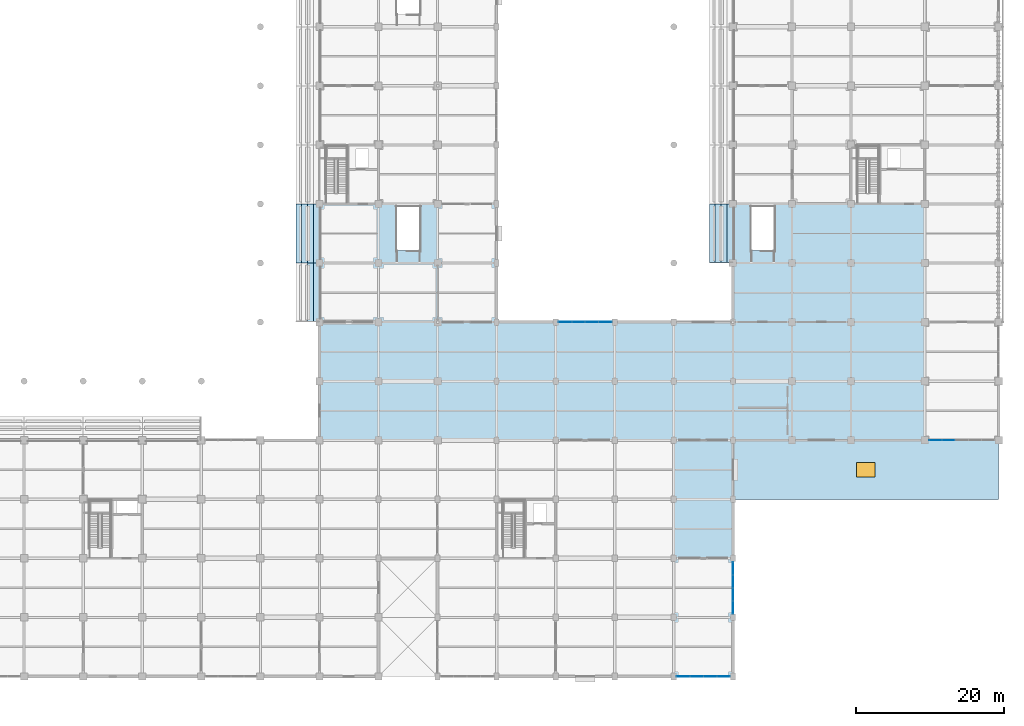
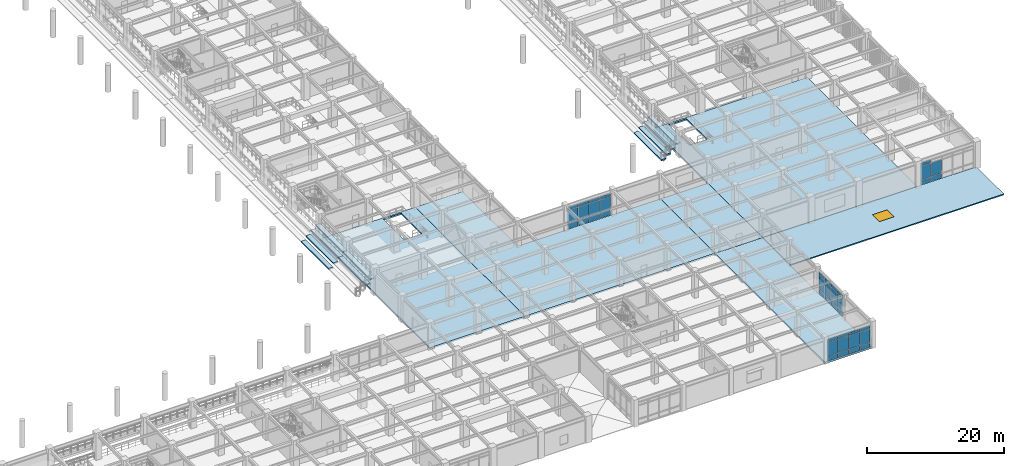
# One storey, part 62 of 117: 41 plates, 16 slabs, 1 window, 1 opening, 4 elements without a shape of their own.
"""IFC4 building model written with IfcOpenShell, lengths in metres."""

from ifc_helpers import new_model, si_unit, direction, frame, origin, origin_2d, place, context, subcontext, project, spatial, polyline, rectangle, outline, extrude, material, layer, layer_set, type_object, element, fill, aggregate, save


model = new_model("IFC4")

# Units and contexts
model_context = context("Model", 3, precision=1e-05, world=origin(), true_north=direction((0.0, 1.0)))
body_context = subcontext(model_context, "Body", "Model", "MODEL_VIEW")
ifc_project = project(units=[si_unit("LENGTHUNIT", "METRE"), si_unit("AREAUNIT", "SQUARE_METRE"), si_unit("VOLUMEUNIT", "CUBIC_METRE"), si_unit("PLANEANGLEUNIT", "RADIAN"), si_unit("MASSUNIT", "GRAM", prefix="KILO")], contexts=[model_context])

# Site, building, storey
site_placement = place(None, origin())
site = spatial("IfcSite", under=ifc_project, at=site_placement, CompositionType="ELEMENT")
building_placement = place(site_placement, origin())
building = spatial("IfcBuilding", under=site, at=building_placement, Name="Haebicheon Civic Stadium", CompositionType="ELEMENT")
storey_placement = place(building_placement, frame((0.0, 0.0, 4.800048828125)))
storey = spatial("IfcBuildingStorey", under=building, at=storey_placement, Name="L02", CompositionType="ELEMENT", Elevation=4.800048828125)

# Curtain wall, plates
ifc_material_1 = material(Name="Anodised aluminium and laminated glass", Category="aluminium")
ifc_layer_1 = layer(ifc_material_1, 0.179931640625, Name="Anodised aluminium and laminated glass")
ifc_layer_set_1 = layer_set([ifc_layer_1], Name="Anodised aluminium and laminated glass")
curtain_wall_type_1 = type_object("IfcCurtainWallType", Name="CW-7300x3910", PredefinedType="NOTDEFINED", material=ifc_layer_set_1)
curtain_wall_1_placement = place(storey_placement, origin())
curtain_wall_1 = element("IfcCurtainWall", 1, at=curtain_wall_1_placement, inside=storey, type_object=curtain_wall_type_1, material=ifc_layer_set_1, Name="L02 unitised curtain wall 058", PredefinedType="NOTDEFINED")
ifc_material_2 = material(Name="Double low-e laminated glass", Category="glass")
ifc_layer_2 = layer(ifc_material_2, 0.028076171875, Name="Double low-e laminated glass")
ifc_layer_set_2 = layer_set([ifc_layer_2], Name="Double low-e laminated glass")
plate_type_1 = type_object("IfcPlateType", Name="CWP-GLZ-28", PredefinedType="CURTAIN_PANEL", material=ifc_layer_set_2)
plate_1_placement = place(storey_placement, frame((177.280029296875, 48.0, 0.93505859375), z_axis=(0.0, 0.0, 1.0), x_axis=(1.0, 0.0, 0.0)))
plate_1 = element("IfcPlate", 2, at=plate_1_placement, type_object=plate_type_1, material=ifc_layer_set_2, Name="CW-L02-058 vision panel 1.2", PredefinedType="CURTAIN_PANEL", context=body_context, shape_type="SweptSolid", body=[
    extrude(rectangle(XDim=1.719970703125, YDim=0.028076171875, at=origin_2d()), origin(), (0.0, 0.0, 1.0), 2.389892578125),
])
plate_2_placement = place(storey_placement, frame((179.087890625, 48.0, 0.93505859375), z_axis=(0.0, 0.0, 1.0), x_axis=(1.0, 0.0, 0.0)))
plate_2 = element("IfcPlate", 3, at=plate_2_placement, type_object=plate_type_1, material=ifc_layer_set_2, Name="CW-L02-058 vision panel 2.2", PredefinedType="CURTAIN_PANEL", context=body_context, shape_type="SweptSolid", body=[
    extrude(rectangle(XDim=1.7548828125, YDim=0.028076171875, at=origin_2d()), origin(), (0.0, 0.0, 1.0), 2.389892578125),
])
plate_3_placement = place(storey_placement, frame((180.912109375, 48.0, 0.93505859375), z_axis=(0.0, 0.0, 1.0), x_axis=(1.0, 0.0, 0.0)))
plate_3 = element("IfcPlate", 4, at=plate_3_placement, type_object=plate_type_1, material=ifc_layer_set_2, Name="CW-L02-058 vision panel 3.2", PredefinedType="CURTAIN_PANEL", context=body_context, shape_type="SweptSolid", body=[
    extrude(rectangle(XDim=1.7548828125, YDim=0.028076171875, at=origin_2d()), origin(), (0.0, 0.0, 1.0), 2.389892578125),
])
plate_4_placement = place(storey_placement, frame((182.719970703125, 48.0, 0.93505859375), z_axis=(0.0, 0.0, 1.0), x_axis=(1.0, 0.0, 0.0)))
plate_4 = element("IfcPlate", 5, at=plate_4_placement, type_object=plate_type_1, material=ifc_layer_set_2, Name="CW-L02-058 vision panel 4.2", PredefinedType="CURTAIN_PANEL", context=body_context, shape_type="SweptSolid", body=[
    extrude(rectangle(XDim=1.719970703125, YDim=0.028076171875, at=origin_2d()), origin(), (0.0, 0.0, 1.0), 2.389892578125),
])

curtain_wall_2_placement = place(storey_placement, origin())
curtain_wall_2 = element("IfcCurtainWall", 6, at=curtain_wall_2_placement, inside=storey, type_object=curtain_wall_type_1, material=ifc_layer_set_1, Name="L02 unitised curtain wall 060", PredefinedType="NOTDEFINED")
plate_5_placement = place(storey_placement, frame((193.280029296875, 0.0, 0.93505859375), z_axis=(0.0, 0.0, 1.0), x_axis=(1.0, 0.0, 0.0)))
plate_5 = element("IfcPlate", 7, at=plate_5_placement, type_object=plate_type_1, material=ifc_layer_set_2, Name="CW-L02-060 vision panel 1.2", PredefinedType="CURTAIN_PANEL", context=body_context, shape_type="SweptSolid", body=[
    extrude(rectangle(XDim=1.719970703125, YDim=0.028076171875, at=origin_2d()), origin(), (0.0, 0.0, 1.0), 2.389892578125),
])
plate_6_placement = place(storey_placement, frame((195.087890625, 0.0, 0.93505859375), z_axis=(0.0, 0.0, 1.0), x_axis=(1.0, 0.0, 0.0)))
plate_6 = element("IfcPlate", 8, at=plate_6_placement, type_object=plate_type_1, material=ifc_layer_set_2, Name="CW-L02-060 vision panel 2.2", PredefinedType="CURTAIN_PANEL", context=body_context, shape_type="SweptSolid", body=[
    extrude(rectangle(XDim=1.7548828125, YDim=0.028076171875, at=origin_2d()), origin(), (0.0, 0.0, 1.0), 2.389892578125),
])
plate_7_placement = place(storey_placement, frame((196.912109375, 0.0, 0.93505859375), z_axis=(0.0, 0.0, 1.0), x_axis=(1.0, 0.0, 0.0)))
plate_7 = element("IfcPlate", 9, at=plate_7_placement, type_object=plate_type_1, material=ifc_layer_set_2, Name="CW-L02-060 vision panel 3.2", PredefinedType="CURTAIN_PANEL", context=body_context, shape_type="SweptSolid", body=[
    extrude(rectangle(XDim=1.7548828125, YDim=0.028076171875, at=origin_2d()), origin(), (0.0, 0.0, 1.0), 2.389892578125),
])
plate_8_placement = place(storey_placement, frame((198.719970703125, 0.0, 0.93505859375), z_axis=(0.0, 0.0, 1.0), x_axis=(1.0, 0.0, 0.0)))
plate_8 = element("IfcPlate", 10, at=plate_8_placement, type_object=plate_type_1, material=ifc_layer_set_2, Name="CW-L02-060 vision panel 4.2", PredefinedType="CURTAIN_PANEL", context=body_context, shape_type="SweptSolid", body=[
    extrude(rectangle(XDim=1.719970703125, YDim=0.028076171875, at=origin_2d()), origin(), (0.0, 0.0, 1.0), 2.389892578125),
])

ifc_material_3 = material(Name="Anodised aluminium and laminated glass", Category="aluminium")
ifc_layer_3 = layer(ifc_material_3, 0.179931640625, Name="Anodised aluminium and laminated glass")
ifc_layer_set_3 = layer_set([ifc_layer_3], Name="Anodised aluminium and laminated glass")
curtain_wall_type_2 = type_object("IfcCurtainWallType", Name="CW-7100x3910", PredefinedType="NOTDEFINED", material=ifc_layer_set_3)
curtain_wall_3_placement = place(storey_placement, origin())
curtain_wall_3 = element("IfcCurtainWall", 11, at=curtain_wall_3_placement, inside=storey, type_object=curtain_wall_type_2, material=ifc_layer_set_3, Name="L02 unitised curtain wall 061", PredefinedType="NOTDEFINED")
plate_9_placement = place(storey_placement, frame((200.0, 9.35498046875, 0.93505859375), z_axis=(0.0, 0.0, 1.0), x_axis=(0.0, 1.0, 0.0)))
plate_9 = element("IfcPlate", 12, at=plate_9_placement, type_object=plate_type_1, material=ifc_layer_set_2, Name="CW-L02-061 vision panel 1.2", PredefinedType="CURTAIN_PANEL", context=body_context, shape_type="SweptSolid", body=[
    extrude(rectangle(XDim=1.669921875, YDim=0.028076171875, at=origin_2d()), origin(), (0.0, 0.0, 1.0), 2.389892578125),
])
plate_10_placement = place(storey_placement, frame((200.0, 11.112060546875, 0.93505859375), z_axis=(0.0, 0.0, 1.0), x_axis=(0.0, 1.0, 0.0)))
plate_10 = element("IfcPlate", 13, at=plate_10_placement, type_object=plate_type_1, material=ifc_layer_set_2, Name="CW-L02-061 vision panel 2.2", PredefinedType="CURTAIN_PANEL", context=body_context, shape_type="SweptSolid", body=[
    extrude(rectangle(XDim=1.705078125, YDim=0.028076171875, at=origin_2d()), origin(), (0.0, 0.0, 1.0), 2.389892578125),
])
plate_11_placement = place(storey_placement, frame((200.0, 12.887939453125, 0.93505859375), z_axis=(0.0, 0.0, 1.0), x_axis=(0.0, 1.0, 0.0)))
plate_11 = element("IfcPlate", 14, at=plate_11_placement, type_object=plate_type_1, material=ifc_layer_set_2, Name="CW-L02-061 vision panel 3.2", PredefinedType="CURTAIN_PANEL", context=body_context, shape_type="SweptSolid", body=[
    extrude(rectangle(XDim=1.705078125, YDim=0.028076171875, at=origin_2d()), origin(), (0.0, 0.0, 1.0), 2.389892578125),
])
plate_12_placement = place(storey_placement, frame((200.0, 14.64501953125, 0.93505859375), z_axis=(0.0, 0.0, 1.0), x_axis=(0.0, 1.0, 0.0)))
plate_12 = element("IfcPlate", 15, at=plate_12_placement, type_object=plate_type_1, material=ifc_layer_set_2, Name="CW-L02-061 vision panel 4.2", PredefinedType="CURTAIN_PANEL", context=body_context, shape_type="SweptSolid", body=[
    extrude(rectangle(XDim=1.669921875, YDim=0.028076171875, at=origin_2d()), origin(), (0.0, 0.0, 1.0), 2.389892578125),
])

ifc_material_4 = material(Name="Anodised aluminium and laminated glass", Category="aluminium")
ifc_layer_4 = layer(ifc_material_4, 0.179931640625, Name="Anodised aluminium and laminated glass")
ifc_layer_set_4 = layer_set([ifc_layer_4], Name="Anodised aluminium and laminated glass")
curtain_wall_type_3 = type_object("IfcCurtainWallType", Name="CW-9000x3950", PredefinedType="NOTDEFINED", material=ifc_layer_set_4)
curtain_wall_4_placement = place(storey_placement, origin())
curtain_wall_4 = element("IfcCurtainWall", 16, at=curtain_wall_4_placement, inside=storey, type_object=curtain_wall_type_3, material=ifc_layer_set_4, Name="L02 unitised curtain wall 064", PredefinedType="NOTDEFINED")
plate_13_placement = place(storey_placement, frame((227.41796875, 32.0, 0.93505859375), z_axis=(0.0, 0.0, 1.0), x_axis=(1.0, 0.0, 0.0)))
plate_13 = element("IfcPlate", 17, at=plate_13_placement, type_object=plate_type_1, material=ifc_layer_set_2, Name="CW-L02-064 vision panel 1.2", PredefinedType="CURTAIN_PANEL", context=body_context, shape_type="SweptSolid", body=[
    extrude(rectangle(XDim=1.695068359375, YDim=0.028076171875, at=origin_2d()), origin(), (0.0, 0.0, 1.0), 2.429931640625),
])
plate_14_placement = place(storey_placement, frame((229.199951171875, 32.0, 0.93505859375), z_axis=(0.0, 0.0, 1.0), x_axis=(1.0, 0.0, 0.0)))
plate_14 = element("IfcPlate", 18, at=plate_14_placement, type_object=plate_type_1, material=ifc_layer_set_2, Name="CW-L02-064 vision panel 2.2", PredefinedType="CURTAIN_PANEL", context=body_context, shape_type="SweptSolid", body=[
    extrude(rectangle(XDim=1.72998046875, YDim=0.028076171875, at=origin_2d()), origin(), (0.0, 0.0, 1.0), 2.429931640625),
])

# Plate
ifc_material_5 = material(Name="Anodised aluminium 6063-T6", Category="aluminium")
ifc_layer_5 = layer(ifc_material_5, 0.053955078125, Name="Anodised aluminium 6063-T6")
ifc_layer_set_5 = layer_set([ifc_layer_5], Name="Anodised aluminium 6063-T6")
plate_type_2 = type_object("IfcPlateType", Name="CWP-SPD-54", PredefinedType="CURTAIN_PANEL", material=ifc_layer_set_5)
plate_15_placement = place(storey_placement, frame((177.280029296875, 48.0, 0.034912109375), z_axis=(0.0, 0.0, 1.0), x_axis=(1.0, 0.0, 0.0)))
plate_15 = element("IfcPlate", 19, at=plate_15_placement, type_object=plate_type_2, material=ifc_layer_set_5, Name="CW-L02-058 spandrel panel 1.1", PredefinedType="CURTAIN_PANEL", context=body_context, shape_type="SweptSolid", body=[
    extrude(rectangle(XDim=1.719970703125, YDim=0.053955078125, at=origin_2d()), origin(), (0.0, 0.0, 1.0), 0.830078125),
])

plate_16_placement = place(storey_placement, frame((177.280029296875, 48.0, 3.39501953125), z_axis=(0.0, 0.0, 1.0), x_axis=(1.0, 0.0, 0.0)))
plate_16 = element("IfcPlate", 20, at=plate_16_placement, type_object=plate_type_2, material=ifc_layer_set_5, Name="CW-L02-058 spandrel panel 1.3", PredefinedType="CURTAIN_PANEL", context=body_context, shape_type="SweptSolid", body=[
    extrude(rectangle(XDim=1.719970703125, YDim=0.053955078125, at=origin_2d()), origin(), (0.0, 0.0, 1.0), 0.47998046875),
])

plate_17_placement = place(storey_placement, frame((179.087890625, 48.0, 0.034912109375), z_axis=(0.0, 0.0, 1.0), x_axis=(1.0, 0.0, 0.0)))
plate_17 = element("IfcPlate", 21, at=plate_17_placement, type_object=plate_type_2, material=ifc_layer_set_5, Name="CW-L02-058 spandrel panel 2.1", PredefinedType="CURTAIN_PANEL", context=body_context, shape_type="SweptSolid", body=[
    extrude(rectangle(XDim=1.7548828125, YDim=0.053955078125, at=origin_2d()), origin(), (0.0, 0.0, 1.0), 0.830078125),
])

plate_18_placement = place(storey_placement, frame((179.087890625, 48.0, 3.39501953125), z_axis=(0.0, 0.0, 1.0), x_axis=(1.0, 0.0, 0.0)))
plate_18 = element("IfcPlate", 22, at=plate_18_placement, type_object=plate_type_2, material=ifc_layer_set_5, Name="CW-L02-058 spandrel panel 2.3", PredefinedType="CURTAIN_PANEL", context=body_context, shape_type="SweptSolid", body=[
    extrude(rectangle(XDim=1.7548828125, YDim=0.053955078125, at=origin_2d()), origin(), (0.0, 0.0, 1.0), 0.47998046875),
])

plate_19_placement = place(storey_placement, frame((180.912109375, 48.0, 0.034912109375), z_axis=(0.0, 0.0, 1.0), x_axis=(1.0, 0.0, 0.0)))
plate_19 = element("IfcPlate", 23, at=plate_19_placement, type_object=plate_type_2, material=ifc_layer_set_5, Name="CW-L02-058 spandrel panel 3.1", PredefinedType="CURTAIN_PANEL", context=body_context, shape_type="SweptSolid", body=[
    extrude(rectangle(XDim=1.7548828125, YDim=0.053955078125, at=origin_2d()), origin(), (0.0, 0.0, 1.0), 0.830078125),
])

plate_20_placement = place(storey_placement, frame((180.912109375, 48.0, 3.39501953125), z_axis=(0.0, 0.0, 1.0), x_axis=(1.0, 0.0, 0.0)))
plate_20 = element("IfcPlate", 24, at=plate_20_placement, type_object=plate_type_2, material=ifc_layer_set_5, Name="CW-L02-058 spandrel panel 3.3", PredefinedType="CURTAIN_PANEL", context=body_context, shape_type="SweptSolid", body=[
    extrude(rectangle(XDim=1.7548828125, YDim=0.053955078125, at=origin_2d()), origin(), (0.0, 0.0, 1.0), 0.47998046875),
])

plate_21_placement = place(storey_placement, frame((182.719970703125, 48.0, 0.034912109375), z_axis=(0.0, 0.0, 1.0), x_axis=(1.0, 0.0, 0.0)))
plate_21 = element("IfcPlate", 25, at=plate_21_placement, type_object=plate_type_2, material=ifc_layer_set_5, Name="CW-L02-058 spandrel panel 4.1", PredefinedType="CURTAIN_PANEL", context=body_context, shape_type="SweptSolid", body=[
    extrude(rectangle(XDim=1.719970703125, YDim=0.053955078125, at=origin_2d()), origin(), (0.0, 0.0, 1.0), 0.830078125),
])

plate_22_placement = place(storey_placement, frame((182.719970703125, 48.0, 3.39501953125), z_axis=(0.0, 0.0, 1.0), x_axis=(1.0, 0.0, 0.0)))
plate_22 = element("IfcPlate", 26, at=plate_22_placement, type_object=plate_type_2, material=ifc_layer_set_5, Name="CW-L02-058 spandrel panel 4.3", PredefinedType="CURTAIN_PANEL", context=body_context, shape_type="SweptSolid", body=[
    extrude(rectangle(XDim=1.719970703125, YDim=0.053955078125, at=origin_2d()), origin(), (0.0, 0.0, 1.0), 0.47998046875),
])

aggregate(curtain_wall_1, [plate_15, plate_1, plate_16, plate_17, plate_2, plate_18, plate_19, plate_3, plate_20, plate_21, plate_4, plate_22])

plate_23_placement = place(storey_placement, frame((193.280029296875, 0.0, 0.034912109375), z_axis=(0.0, 0.0, 1.0), x_axis=(1.0, 0.0, 0.0)))
plate_23 = element("IfcPlate", 27, at=plate_23_placement, type_object=plate_type_2, material=ifc_layer_set_5, Name="CW-L02-060 spandrel panel 1.1", PredefinedType="CURTAIN_PANEL", context=body_context, shape_type="SweptSolid", body=[
    extrude(rectangle(XDim=1.719970703125, YDim=0.053955078125, at=origin_2d()), origin(), (0.0, 0.0, 1.0), 0.830078125),
])

plate_24_placement = place(storey_placement, frame((193.280029296875, 0.0, 3.39501953125), z_axis=(0.0, 0.0, 1.0), x_axis=(1.0, 0.0, 0.0)))
plate_24 = element("IfcPlate", 28, at=plate_24_placement, type_object=plate_type_2, material=ifc_layer_set_5, Name="CW-L02-060 spandrel panel 1.3", PredefinedType="CURTAIN_PANEL", context=body_context, shape_type="SweptSolid", body=[
    extrude(rectangle(XDim=1.719970703125, YDim=0.053955078125, at=origin_2d()), origin(), (0.0, 0.0, 1.0), 0.47998046875),
])

plate_25_placement = place(storey_placement, frame((195.087890625, 0.0, 0.034912109375), z_axis=(0.0, 0.0, 1.0), x_axis=(1.0, 0.0, 0.0)))
plate_25 = element("IfcPlate", 29, at=plate_25_placement, type_object=plate_type_2, material=ifc_layer_set_5, Name="CW-L02-060 spandrel panel 2.1", PredefinedType="CURTAIN_PANEL", context=body_context, shape_type="SweptSolid", body=[
    extrude(rectangle(XDim=1.7548828125, YDim=0.053955078125, at=origin_2d()), origin(), (0.0, 0.0, 1.0), 0.830078125),
])

plate_26_placement = place(storey_placement, frame((195.087890625, 0.0, 3.39501953125), z_axis=(0.0, 0.0, 1.0), x_axis=(1.0, 0.0, 0.0)))
plate_26 = element("IfcPlate", 30, at=plate_26_placement, type_object=plate_type_2, material=ifc_layer_set_5, Name="CW-L02-060 spandrel panel 2.3", PredefinedType="CURTAIN_PANEL", context=body_context, shape_type="SweptSolid", body=[
    extrude(rectangle(XDim=1.7548828125, YDim=0.053955078125, at=origin_2d()), origin(), (0.0, 0.0, 1.0), 0.47998046875),
])

plate_27_placement = place(storey_placement, frame((196.912109375, 0.0, 0.034912109375), z_axis=(0.0, 0.0, 1.0), x_axis=(1.0, 0.0, 0.0)))
plate_27 = element("IfcPlate", 31, at=plate_27_placement, type_object=plate_type_2, material=ifc_layer_set_5, Name="CW-L02-060 spandrel panel 3.1", PredefinedType="CURTAIN_PANEL", context=body_context, shape_type="SweptSolid", body=[
    extrude(rectangle(XDim=1.7548828125, YDim=0.053955078125, at=origin_2d()), origin(), (0.0, 0.0, 1.0), 0.830078125),
])

plate_28_placement = place(storey_placement, frame((196.912109375, 0.0, 3.39501953125), z_axis=(0.0, 0.0, 1.0), x_axis=(1.0, 0.0, 0.0)))
plate_28 = element("IfcPlate", 32, at=plate_28_placement, type_object=plate_type_2, material=ifc_layer_set_5, Name="CW-L02-060 spandrel panel 3.3", PredefinedType="CURTAIN_PANEL", context=body_context, shape_type="SweptSolid", body=[
    extrude(rectangle(XDim=1.7548828125, YDim=0.053955078125, at=origin_2d()), origin(), (0.0, 0.0, 1.0), 0.47998046875),
])

plate_29_placement = place(storey_placement, frame((198.719970703125, 0.0, 0.034912109375), z_axis=(0.0, 0.0, 1.0), x_axis=(1.0, 0.0, 0.0)))
plate_29 = element("IfcPlate", 33, at=plate_29_placement, type_object=plate_type_2, material=ifc_layer_set_5, Name="CW-L02-060 spandrel panel 4.1", PredefinedType="CURTAIN_PANEL", context=body_context, shape_type="SweptSolid", body=[
    extrude(rectangle(XDim=1.719970703125, YDim=0.053955078125, at=origin_2d()), origin(), (0.0, 0.0, 1.0), 0.830078125),
])

plate_30_placement = place(storey_placement, frame((198.719970703125, 0.0, 3.39501953125), z_axis=(0.0, 0.0, 1.0), x_axis=(1.0, 0.0, 0.0)))
plate_30 = element("IfcPlate", 34, at=plate_30_placement, type_object=plate_type_2, material=ifc_layer_set_5, Name="CW-L02-060 spandrel panel 4.3", PredefinedType="CURTAIN_PANEL", context=body_context, shape_type="SweptSolid", body=[
    extrude(rectangle(XDim=1.719970703125, YDim=0.053955078125, at=origin_2d()), origin(), (0.0, 0.0, 1.0), 0.47998046875),
])

aggregate(curtain_wall_2, [plate_23, plate_5, plate_24, plate_25, plate_6, plate_26, plate_27, plate_7, plate_28, plate_29, plate_8, plate_30])

plate_31_placement = place(storey_placement, frame((200.0, 9.35498046875, 0.034912109375), z_axis=(0.0, 0.0, 1.0), x_axis=(0.0, 1.0, 0.0)))
plate_31 = element("IfcPlate", 35, at=plate_31_placement, type_object=plate_type_2, material=ifc_layer_set_5, Name="CW-L02-061 spandrel panel 1.1", PredefinedType="CURTAIN_PANEL", context=body_context, shape_type="SweptSolid", body=[
    extrude(rectangle(XDim=1.669921875, YDim=0.053955078125, at=origin_2d()), origin(), (0.0, 0.0, 1.0), 0.830078125),
])

plate_32_placement = place(storey_placement, frame((200.0, 9.35498046875, 3.39501953125), z_axis=(0.0, 0.0, 1.0), x_axis=(0.0, 1.0, 0.0)))
plate_32 = element("IfcPlate", 36, at=plate_32_placement, type_object=plate_type_2, material=ifc_layer_set_5, Name="CW-L02-061 spandrel panel 1.3", PredefinedType="CURTAIN_PANEL", context=body_context, shape_type="SweptSolid", body=[
    extrude(rectangle(XDim=1.669921875, YDim=0.053955078125, at=origin_2d()), origin(), (0.0, 0.0, 1.0), 0.47998046875),
])

plate_33_placement = place(storey_placement, frame((200.0, 11.112060546875, 0.034912109375), z_axis=(0.0, 0.0, 1.0), x_axis=(0.0, 1.0, 0.0)))
plate_33 = element("IfcPlate", 37, at=plate_33_placement, type_object=plate_type_2, material=ifc_layer_set_5, Name="CW-L02-061 spandrel panel 2.1", PredefinedType="CURTAIN_PANEL", context=body_context, shape_type="SweptSolid", body=[
    extrude(rectangle(XDim=1.705078125, YDim=0.053955078125, at=origin_2d()), origin(), (0.0, 0.0, 1.0), 0.830078125),
])

plate_34_placement = place(storey_placement, frame((200.0, 11.112060546875, 3.39501953125), z_axis=(0.0, 0.0, 1.0), x_axis=(0.0, 1.0, 0.0)))
plate_34 = element("IfcPlate", 38, at=plate_34_placement, type_object=plate_type_2, material=ifc_layer_set_5, Name="CW-L02-061 spandrel panel 2.3", PredefinedType="CURTAIN_PANEL", context=body_context, shape_type="SweptSolid", body=[
    extrude(rectangle(XDim=1.705078125, YDim=0.053955078125, at=origin_2d()), origin(), (0.0, 0.0, 1.0), 0.47998046875),
])

plate_35_placement = place(storey_placement, frame((200.0, 12.887939453125, 0.034912109375), z_axis=(0.0, 0.0, 1.0), x_axis=(0.0, 1.0, 0.0)))
plate_35 = element("IfcPlate", 39, at=plate_35_placement, type_object=plate_type_2, material=ifc_layer_set_5, Name="CW-L02-061 spandrel panel 3.1", PredefinedType="CURTAIN_PANEL", context=body_context, shape_type="SweptSolid", body=[
    extrude(rectangle(XDim=1.705078125, YDim=0.053955078125, at=origin_2d()), origin(), (0.0, 0.0, 1.0), 0.830078125),
])

plate_36_placement = place(storey_placement, frame((200.0, 12.887939453125, 3.39501953125), z_axis=(0.0, 0.0, 1.0), x_axis=(0.0, 1.0, 0.0)))
plate_36 = element("IfcPlate", 40, at=plate_36_placement, type_object=plate_type_2, material=ifc_layer_set_5, Name="CW-L02-061 spandrel panel 3.3", PredefinedType="CURTAIN_PANEL", context=body_context, shape_type="SweptSolid", body=[
    extrude(rectangle(XDim=1.705078125, YDim=0.053955078125, at=origin_2d()), origin(), (0.0, 0.0, 1.0), 0.47998046875),
])

plate_37_placement = place(storey_placement, frame((200.0, 14.64501953125, 0.034912109375), z_axis=(0.0, 0.0, 1.0), x_axis=(0.0, 1.0, 0.0)))
plate_37 = element("IfcPlate", 41, at=plate_37_placement, type_object=plate_type_2, material=ifc_layer_set_5, Name="CW-L02-061 spandrel panel 4.1", PredefinedType="CURTAIN_PANEL", context=body_context, shape_type="SweptSolid", body=[
    extrude(rectangle(XDim=1.669921875, YDim=0.053955078125, at=origin_2d()), origin(), (0.0, 0.0, 1.0), 0.830078125),
])

plate_38_placement = place(storey_placement, frame((200.0, 14.64501953125, 3.39501953125), z_axis=(0.0, 0.0, 1.0), x_axis=(0.0, 1.0, 0.0)))
plate_38 = element("IfcPlate", 42, at=plate_38_placement, type_object=plate_type_2, material=ifc_layer_set_5, Name="CW-L02-061 spandrel panel 4.3", PredefinedType="CURTAIN_PANEL", context=body_context, shape_type="SweptSolid", body=[
    extrude(rectangle(XDim=1.669921875, YDim=0.053955078125, at=origin_2d()), origin(), (0.0, 0.0, 1.0), 0.47998046875),
])

aggregate(curtain_wall_3, [plate_31, plate_9, plate_32, plate_33, plate_10, plate_34, plate_35, plate_11, plate_36, plate_37, plate_12, plate_38])

plate_39_placement = place(storey_placement, frame((227.41796875, 32.0, 0.034912109375), z_axis=(0.0, 0.0, 1.0), x_axis=(1.0, 0.0, 0.0)))
plate_39 = element("IfcPlate", 43, at=plate_39_placement, type_object=plate_type_2, material=ifc_layer_set_5, Name="CW-L02-064 spandrel panel 1.1", PredefinedType="CURTAIN_PANEL", context=body_context, shape_type="SweptSolid", body=[
    extrude(rectangle(XDim=1.695068359375, YDim=0.053955078125, at=origin_2d()), origin(), (0.0, 0.0, 1.0), 0.830078125),
])

plate_40_placement = place(storey_placement, frame((227.41796875, 32.0, 3.43505859375), z_axis=(0.0, 0.0, 1.0), x_axis=(1.0, 0.0, 0.0)))
plate_40 = element("IfcPlate", 44, at=plate_40_placement, type_object=plate_type_2, material=ifc_layer_set_5, Name="CW-L02-064 spandrel panel 1.3", PredefinedType="CURTAIN_PANEL", context=body_context, shape_type="SweptSolid", body=[
    extrude(rectangle(XDim=1.695068359375, YDim=0.053955078125, at=origin_2d()), origin(), (0.0, 0.0, 1.0), 0.47998046875),
])

plate_41_placement = place(storey_placement, frame((229.199951171875, 32.0, 0.034912109375), z_axis=(0.0, 0.0, 1.0), x_axis=(1.0, 0.0, 0.0)))
plate_41 = element("IfcPlate", 45, at=plate_41_placement, type_object=plate_type_2, material=ifc_layer_set_5, Name="CW-L02-064 spandrel panel 2.1", PredefinedType="CURTAIN_PANEL", context=body_context, shape_type="SweptSolid", body=[
    extrude(rectangle(XDim=1.72998046875, YDim=0.053955078125, at=origin_2d()), origin(), (0.0, 0.0, 1.0), 0.830078125),
])

aggregate(curtain_wall_4, [plate_39, plate_13, plate_40, plate_41, plate_14])

# Slabs
ifc_material_6 = material(Name="Concrete C40/50", Category="concrete")
ifc_layer_6 = layer(ifc_material_6, 0.280029296875, Name="Concrete C40/50")
ifc_layer_set_6 = layer_set([ifc_layer_6], Name="Concrete C40/50")
slab_type_1 = type_object("IfcSlabType", Name="SLB-FLR-280", PredefinedType="FLOOR", material=ifc_layer_set_6)
slab_1_placement = place(storey_placement, frame((0.0, 0.0, -0.280029296875)))
element("IfcSlab", 46, at=slab_1_placement, inside=storey, type_object=slab_type_1, material=ifc_layer_set_6, Name="L02 V2 structural slab 8.1", PredefinedType="FLOOR", context=body_context, shape_type="SweptSolid", body=[
    extrude(outline(polyline([(144.0, 48.0), (144.0, 56.0), (144.0, 64.0), (152.0, 64.0), (160.0, 64.0), (160.0, 56.0), (160.0, 48.0), (160.0, 40.0), (160.0, 32.0), (152.0, 32.0), (144.0, 32.0), (144.0, 40.0), (144.0, 48.0)]), holes=[polyline([(154.4599609375, 57.699951171875), (157.5, 57.699951171875), (157.5, 63.699951171875), (154.4599609375, 63.699951171875), (154.4599609375, 57.699951171875)])]), origin(), (0.0, 0.0, 1.0), 0.280029296875),
])
slab_2_placement = place(storey_placement, frame((0.0, 0.0, -0.280029296875)))
element("IfcSlab", 47, at=slab_2_placement, inside=storey, type_object=slab_type_1, material=ifc_layer_set_6, Name="L02 V3 structural slab 1.1", PredefinedType="FLOOR", context=body_context, shape_type="SweptSolid", body=[
    extrude(outline(polyline([(200.0, 48.0), (200.0, 56.0), (200.0, 64.0), (208.0, 64.0), (216.0, 64.0), (226.0, 64.0), (226.0, 56.0), (226.0, 48.0), (226.0, 40.0), (226.0, 32.0), (216.0, 32.0), (208.0, 32.0), (200.0, 32.0), (200.0, 40.0), (200.0, 48.0)]), holes=[polyline([(202.4599609375, 57.699951171875), (205.5, 57.699951171875), (205.5, 63.699951171875), (202.4599609375, 63.699951171875), (202.4599609375, 57.699951171875)])]), origin(), (0.0, 0.0, 1.0), 0.280029296875),
])
slab_3_placement = place(storey_placement, frame((0.0, 0.0, -0.280029296875)))
element("IfcSlab", 48, at=slab_3_placement, inside=storey, type_object=slab_type_1, material=ifc_layer_set_6, Name="L02 V4 structural slab 5.1", PredefinedType="FLOOR", context=body_context, shape_type="SweptSolid", body=[
    extrude(outline(polyline([(160.0, 48.0), (160.0, 56.0), (160.0, 64.0), (168.0, 64.0), (168.0, 56.0), (168.0, 48.0), (176.0, 48.0), (184.0, 48.0), (192.0, 48.0), (192.0, 40.0), (192.0, 32.0), (184.0, 32.0), (176.0, 32.0), (168.0, 32.0), (160.0, 32.0), (160.0, 40.0), (160.0, 48.0)])), origin(), (0.0, 0.0, 1.0), 0.280029296875),
])
slab_4_placement = place(storey_placement, frame((0.0, 0.0, -0.280029296875)))
element("IfcSlab", 49, at=slab_4_placement, inside=storey, type_object=slab_type_1, material=ifc_layer_set_6, Name="L02 V4 structural slab 10.1", PredefinedType="FLOOR", context=body_context, shape_type="SweptSolid", body=[
    extrude(outline(polyline([(192.0, 0.0), (192.0, 8.0), (192.0, 16.0), (192.0, 24.0), (192.0, 32.0), (200.0, 32.0), (200.0, 24.0), (200.0, 16.0), (200.0, 8.0), (200.0, 0.0), (192.0, 0.0)])), origin(), (0.0, 0.0, 1.0), 0.280029296875),
])
slab_5_placement = place(storey_placement, frame((0.0, 0.0, -0.280029296875)))
element("IfcSlab", 50, at=slab_5_placement, inside=storey, type_object=slab_type_1, material=ifc_layer_set_6, Name="L02 V4 structural slab 11.1", PredefinedType="FLOOR", context=body_context, shape_type="SweptSolid", body=[
    extrude(outline(polyline([(200.0, 32.0), (192.0, 32.0), (192.0, 40.0), (192.0, 48.0), (200.0, 48.0), (200.0, 40.0), (200.0, 32.0)])), origin(), (0.0, 0.0, 1.0), 0.280029296875),
])

# Slab, opening, window
ifc_material_7 = material(Name="Concrete C40/50", Category="concrete")
ifc_layer_7 = layer(ifc_material_7, 0.18994140625, Name="Concrete C40/50")
ifc_layer_set_7 = layer_set([ifc_layer_7], Name="Concrete C40/50")
slab_type_2 = type_object("IfcSlabType", Name="SLB-ROOF-190", PredefinedType="ROOF", material=ifc_layer_set_7)
slab_6_placement = place(storey_placement, frame((0.0, 0.0, -0.18994140625)))
slab_6 = element("IfcSlab", 51, at=slab_6_placement, inside=storey, type_object=slab_type_2, material=ifc_layer_set_7, Name="L02 V3 roof deck slab 1", PredefinedType="ROOF", context=body_context, shape_type="SweptSolid", body=[
    extrude(outline(polyline([(200.0, 32.0), (236.0, 32.0), (236.0, 24.0), (200.0, 24.0), (200.0, 32.0)])), origin(), (0.0, 0.0, 1.0), 0.18994140625),
])
opening_placement = place(slab_6_placement, frame((218.0, 28.0, -0.010009765625)))
opening = element("IfcOpeningElement", 52, at=opening_placement, cuts=slab_6, Name="Opening SKY-250x200", PredefinedType="OPENING", context=body_context, shape_type="SweptSolid", body=[
    extrude(rectangle(XDim=2.5, YDim=2.0, at=origin_2d()), origin(), (0.0, 0.0, 1.0), 0.2099609375),
])
ifc_material_8 = material(Name="Anodised aluminium and laminated glass", Category="aluminium")
window_type = type_object("IfcWindowType", Name="SKY-250x200", PartitioningType="SINGLE_PANEL", PredefinedType="SKYLIGHT", material=ifc_material_8)
window_placement = place(slab_6_placement, frame((218.0, 28.0, 0.139892578125)))
window = element("IfcWindow", 53, at=window_placement, inside=storey, type_object=window_type, material=ifc_material_8, Name="L02 glazed roof skylight 04", OverallHeight=2.0, OverallWidth=2.5, PartitioningType="SINGLE_PANEL", PredefinedType="SKYLIGHT", context=body_context, shape_type="SweptSolid", body=[
    extrude(rectangle(XDim=2.5, YDim=2.0, at=origin_2d()), origin(), (0.0, 0.0, 1.0), 0.050048828125),
])
fill(opening, window)

# Slabs
ifc_material_9 = material(Name="Precast concrete C40/50", Category="concrete")
ifc_layer_8 = layer(ifc_material_9, 0.239990234375, Name="Precast concrete C40/50")
ifc_layer_set_8 = layer_set([ifc_layer_8], Name="Precast concrete C40/50")
slab_type_3 = type_object("IfcSlabType", Name="SLB-TIER-240", PredefinedType="USERDEFINED", material=ifc_layer_set_8)
slab_7_placement = place(storey_placement, frame((0.0, 0.0, 1.848876953125)))
element("IfcSlab", 54, at=slab_7_placement, inside=storey, type_object=slab_type_3, material=ifc_layer_set_8, Name="TIER-E-L precast seating tier bay 1 row-band 9", ObjectType="SEATING TIER", PredefinedType="USERDEFINED", context=body_context, shape_type="SweptSolid", body=[
    extrude(outline(polyline([(142.39990234375, 48.0), (143.199951171875, 48.0), (143.199951171875, 56.0), (142.39990234375, 56.0), (142.39990234375, 48.0)])), origin(), (0.0, 0.0, 1.0), 0.239990234375),
])
slab_8_placement = place(storey_placement, frame((0.0, 0.0, 2.56005859375)))
element("IfcSlab", 55, at=slab_8_placement, inside=storey, type_object=slab_type_3, material=ifc_layer_set_8, Name="TIER-E-L precast seating tier bay 1 row-band 10", ObjectType="SEATING TIER", PredefinedType="USERDEFINED", context=body_context, shape_type="SweptSolid", body=[
    extrude(outline(polyline([(143.199951171875, 48.0), (144.0, 48.0), (144.0, 56.0), (143.199951171875, 56.0), (143.199951171875, 48.0)])), origin(), (0.0, 0.0, 1.0), 0.239990234375),
])
slab_9_placement = place(storey_placement, frame((0.0, 0.0, 0.427001953125)))
element("IfcSlab", 56, at=slab_9_placement, inside=storey, type_object=slab_type_3, material=ifc_layer_set_8, Name="TIER-E-L precast seating tier bay 2 row-band 7", ObjectType="SEATING TIER", PredefinedType="USERDEFINED", context=body_context, shape_type="SweptSolid", body=[
    extrude(outline(polyline([(140.800048828125, 56.0), (141.60009765625, 56.0), (141.60009765625, 64.0), (140.800048828125, 64.0), (140.800048828125, 56.0)])), origin(), (0.0, 0.0, 1.0), 0.239990234375),
])
slab_10_placement = place(storey_placement, frame((0.0, 0.0, 1.137939453125)))
element("IfcSlab", 57, at=slab_10_placement, inside=storey, type_object=slab_type_3, material=ifc_layer_set_8, Name="TIER-E-L precast seating tier bay 2 row-band 8", ObjectType="SEATING TIER", PredefinedType="USERDEFINED", context=body_context, shape_type="SweptSolid", body=[
    extrude(outline(polyline([(141.60009765625, 56.0), (142.39990234375, 56.0), (142.39990234375, 64.0), (141.60009765625, 64.0), (141.60009765625, 56.0)])), origin(), (0.0, 0.0, 1.0), 0.239990234375),
])
slab_11_placement = place(storey_placement, frame((0.0, 0.0, 1.848876953125)))
element("IfcSlab", 58, at=slab_11_placement, inside=storey, type_object=slab_type_3, material=ifc_layer_set_8, Name="TIER-E-L precast seating tier bay 2 row-band 9", ObjectType="SEATING TIER", PredefinedType="USERDEFINED", context=body_context, shape_type="SweptSolid", body=[
    extrude(outline(polyline([(142.39990234375, 56.0), (143.199951171875, 56.0), (143.199951171875, 64.0), (142.39990234375, 64.0), (142.39990234375, 56.0)])), origin(), (0.0, 0.0, 1.0), 0.239990234375),
])
slab_12_placement = place(storey_placement, frame((0.0, 0.0, 2.56005859375)))
element("IfcSlab", 59, at=slab_12_placement, inside=storey, type_object=slab_type_3, material=ifc_layer_set_8, Name="TIER-E-L precast seating tier bay 2 row-band 10", ObjectType="SEATING TIER", PredefinedType="USERDEFINED", context=body_context, shape_type="SweptSolid", body=[
    extrude(outline(polyline([(143.199951171875, 56.0), (144.0, 56.0), (144.0, 64.0), (143.199951171875, 64.0), (143.199951171875, 56.0)])), origin(), (0.0, 0.0, 1.0), 0.239990234375),
])
slab_13_placement = place(storey_placement, frame((0.0, 0.0, 0.159912109375)))
element("IfcSlab", 60, at=slab_13_placement, inside=storey, type_object=slab_type_3, material=ifc_layer_set_8, Name="TIER-C-L precast seating tier bay 1 row-band 7", ObjectType="SEATING TIER", PredefinedType="USERDEFINED", context=body_context, shape_type="SweptSolid", body=[
    extrude(outline(polyline([(196.800048828125, 56.0), (197.60009765625, 56.0), (197.60009765625, 64.0), (196.800048828125, 64.0), (196.800048828125, 56.0)])), origin(), (0.0, 0.0, 1.0), 0.239990234375),
])
slab_14_placement = place(storey_placement, frame((0.0, 0.0, 0.826904296875)))
element("IfcSlab", 61, at=slab_14_placement, inside=storey, type_object=slab_type_3, material=ifc_layer_set_8, Name="TIER-C-L precast seating tier bay 1 row-band 8", ObjectType="SEATING TIER", PredefinedType="USERDEFINED", context=body_context, shape_type="SweptSolid", body=[
    extrude(outline(polyline([(197.60009765625, 56.0), (198.39990234375, 56.0), (198.39990234375, 64.0), (197.60009765625, 64.0), (197.60009765625, 56.0)])), origin(), (0.0, 0.0, 1.0), 0.239990234375),
])
slab_15_placement = place(storey_placement, frame((0.0, 0.0, 1.492919921875)))
element("IfcSlab", 62, at=slab_15_placement, inside=storey, type_object=slab_type_3, material=ifc_layer_set_8, Name="TIER-C-L precast seating tier bay 1 row-band 9", ObjectType="SEATING TIER", PredefinedType="USERDEFINED", context=body_context, shape_type="SweptSolid", body=[
    extrude(outline(polyline([(198.39990234375, 56.0), (199.199951171875, 56.0), (199.199951171875, 64.0), (198.39990234375, 64.0), (198.39990234375, 56.0)])), origin(), (0.0, 0.0, 1.0), 0.239990234375),
])
slab_16_placement = place(storey_placement, frame((0.0, 0.0, 2.159912109375)))
element("IfcSlab", 63, at=slab_16_placement, inside=storey, type_object=slab_type_3, material=ifc_layer_set_8, Name="TIER-C-L precast seating tier bay 1 row-band 10", ObjectType="SEATING TIER", PredefinedType="USERDEFINED", context=body_context, shape_type="SweptSolid", body=[
    extrude(outline(polyline([(199.199951171875, 56.0), (200.0, 56.0), (200.0, 64.0), (199.199951171875, 64.0), (199.199951171875, 56.0)])), origin(), (0.0, 0.0, 1.0), 0.239990234375),
])

save(model, "model.ifc")
